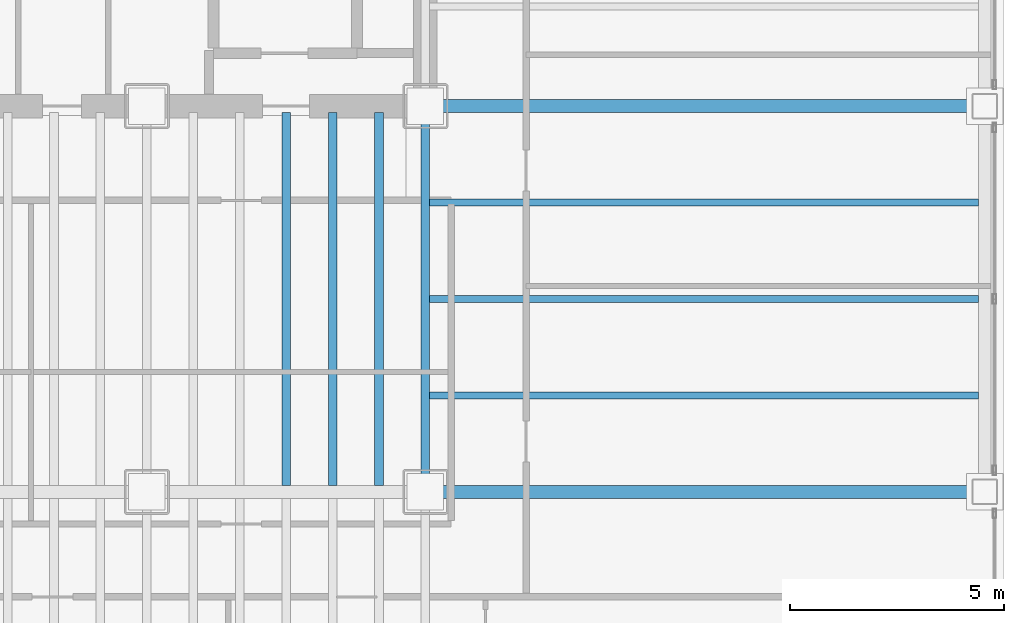
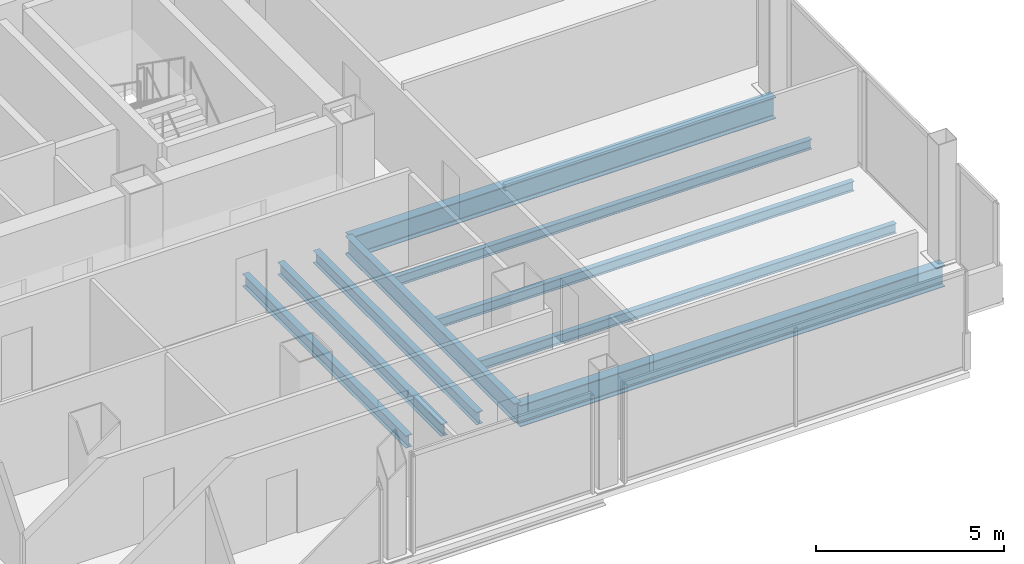
# One storey, part 9 of 20: 9 beams.
"""IFC4 building model written with IfcOpenShell, lengths in metres."""

import ifcopenshell
import ifcopenshell.guid

model = None  # the IFC model being written
_history = None  # IfcOwnerHistory: only IFC2X3 demands one
_inside = {}  # id of a spatial element -> (the spatial element, [elements in it])
_under = {}  # id of a project, library or spatial element -> (it, [spatial elements below it])
_declared = {}  # id of a project -> (the project, [libraries it declares])
_typed = {}  # id of a type object -> (the type object, [elements of that type])
_made_of = {}  # id of a material, layer set ... -> (it, [elements and type objects made of it])


def new_model(schema):
    """Start an empty IFC model of exactly this schema.

    Asked for "IFC4X3", IfcOpenShell would pick the latest addendum, in which some entities
    have other attributes; the version numbers below select the first issue.
    IFC2X3 requires an IfcOwnerHistory on every rooted entity: one is made here for all.
    """
    global model, _history
    if schema == "IFC4X3":
        model = ifcopenshell.file(schema_version=(4, 3, 0, 0))
    else:
        model = ifcopenshell.file(schema=schema)
    _inside.clear()
    _under.clear()
    _declared.clear()
    _typed.clear()
    _made_of.clear()
    _history = None
    if model.schema == "IFC2X3":
        org = make("IfcOrganization", Name="unknown")
        user = make(
            "IfcPersonAndOrganization",
            ThePerson=make("IfcPerson", FamilyName="unknown"),
            TheOrganization=org,
        )
        app = make(
            "IfcApplication",
            ApplicationDeveloper=org,
            Version="unknown",
            ApplicationFullName="unknown",
            ApplicationIdentifier="unknown",
        )
        _history = make(
            "IfcOwnerHistory",
            OwningUser=user,
            OwningApplication=app,
            ChangeAction="ADDED",
            CreationDate=0,
        )
    return model


def make(cls, **values):
    """One entity of the class cls with the attributes given. An attribute that is None is left unset."""
    return model.create_entity(
        cls, **{name: value for name, value in values.items() if value is not None}
    )


def rooted(cls, **values):
    """An entity with a GlobalId (a new one), such as an element, a storey or a relation."""
    return make(cls, GlobalId=ifcopenshell.guid.new(), OwnerHistory=_history, **values)


def si_unit(unit_type, name, prefix=None):
    """IfcSIUnit, for example si_unit("LENGTHUNIT", "METRE", prefix="MILLI")."""
    return make("IfcSIUnit", UnitType=unit_type, Prefix=prefix, Name=name)


def assignment(units):
    """IfcUnitAssignment: the units of a project."""
    return None if units is None else make("IfcUnitAssignment", Units=units)


def point(xyz):
    """IfcCartesianPoint."""
    return None if xyz is None else make("IfcCartesianPoint", Coordinates=xyz)


def direction(xyz):
    """IfcDirection."""
    return None if xyz is None else make("IfcDirection", DirectionRatios=xyz)


def frame(location, z_axis=None, x_axis=None):
    """IfcAxis2Placement3D, a coordinate frame: its origin and axes. An axis left out is left unset."""
    return make(
        "IfcAxis2Placement3D",
        Location=point(location),
        Axis=direction(z_axis),
        RefDirection=direction(x_axis),
    )


def frame_2d(location, x_axis=None):
    """IfcAxis2Placement2D, a coordinate frame in the plane: its origin and x axis."""
    return make(
        "IfcAxis2Placement2D", Location=point(location), RefDirection=direction(x_axis)
    )


def origin():
    """The frame at (0, 0, 0) with its axes left unset."""
    return frame((0.0, 0.0, 0.0))


def origin_2d():
    """The frame at (0, 0) in the plane with its x axis left unset."""
    return frame_2d((0.0, 0.0))


def place(relative_to, where):
    """IfcLocalPlacement: puts the frame where relative to a parent placement (None: the world)."""
    return make(
        "IfcLocalPlacement", PlacementRelTo=relative_to, RelativePlacement=where
    )


def context(
    kind, dimensions, precision=None, world=None, true_north=None, identifier=None
):
    """IfcGeometricRepresentationContext, for example the 3D "Model" context."""
    return make(
        "IfcGeometricRepresentationContext",
        ContextIdentifier=identifier,
        ContextType=kind,
        CoordinateSpaceDimension=dimensions,
        Precision=precision,
        WorldCoordinateSystem=world,
        TrueNorth=true_north,
    )


def subcontext(parent, identifier, kind, view, scale=None):
    """IfcGeometricRepresentationSubContext, for example "Body" below "Model"."""
    return make(
        "IfcGeometricRepresentationSubContext",
        ContextIdentifier=identifier,
        ContextType=kind,
        ParentContext=parent,
        TargetScale=scale,
        TargetView=view,
    )


def project(units=None, contexts=None):
    """IfcProject with its units and contexts."""
    return rooted(
        "IfcProject",
        Name="project",
        RepresentationContexts=contexts,
        UnitsInContext=assignment(units),
    )


def spatial(cls, under=None, at=None, **own):
    """A site, building, storey or space (cls), placed at a placement, below another one or the project."""
    s = rooted(cls, ObjectPlacement=at, **own)
    if under is not None:
        _under.setdefault(under.id(), (under, []))[1].append(s)
    return s


def profile(cls, at=None, kind="AREA", **sizes):
    """A parametric profile (cls). Its sizes go by their IFC names, for example OverallWidth=200.0."""
    return make(cls, ProfileType=kind, Position=at, **sizes)


def i_section(**sizes):
    """IfcIShapeProfileDef."""
    return profile("IfcIShapeProfileDef", **sizes)


def extrude(swept, where, along, depth):
    """IfcExtrudedAreaSolid: the profile swept, set in the frame where, extruded along a direction by depth."""
    return make(
        "IfcExtrudedAreaSolid",
        SweptArea=swept,
        Position=where,
        ExtrudedDirection=direction(along),
        Depth=depth,
    )


def shape(context_of_items, identifier, shape_type, items):
    """IfcShapeRepresentation: the items that make up one representation, for example the "Body"."""
    return make(
        "IfcShapeRepresentation",
        ContextOfItems=context_of_items,
        RepresentationIdentifier=identifier,
        RepresentationType=shape_type,
        Items=items,
    )


def material(Name=None, Category=None):
    """IfcMaterial."""
    return make("IfcMaterial", Name=Name, Category=Category)


def material_profile(
    of_material, cross_section, Name=None, Category=None, Priority=None
):
    """IfcMaterialProfile: a cross section and its material."""
    return make(
        "IfcMaterialProfile",
        Name=Name,
        Material=of_material,
        Profile=cross_section,
        Priority=Priority,
        Category=Category,
    )


def profile_set(profiles, Name=None, composite=None):
    """IfcMaterialProfileSet."""
    return make(
        "IfcMaterialProfileSet",
        Name=Name,
        MaterialProfiles=profiles,
        CompositeProfile=composite,
    )


def made_of(thing, what):
    """Note that an element or type object is made of a material, layer set ...; save() writes the relation."""
    if what is not None:
        _made_of.setdefault(what.id(), (what, []))[1].append(thing)
    return thing


def type_object(cls, material=None, **own):
    """A type object (cls), such as IfcWallType, which elements share."""
    return made_of(rooted(cls, **own), material)


def element(
    cls,
    number,
    at=None,
    inside=None,
    cuts=None,
    type_object=None,
    material=None,
    context=None,
    identifier="Body",
    shape_type=None,
    held_by="IfcProductDefinitionShape",
    body=None,
    shapes=None,
    **own,
):
    """One element of the class cls, such as IfcWall. Its Tag is "e" and its number.

    at: its placement. inside: the storey or other place that contains it. cuts: it is an
    opening in that element (IfcRelVoidsElement). A single representation is given by context,
    identifier, shape_type and body (its items); several are given by shapes. held_by: the class
    of the entity that holds the representations. save() writes the other relations.
    """
    e = rooted(cls, Tag="e%d" % number, ObjectPlacement=at, **own)
    if body is not None:
        shapes = [shape(context, identifier, shape_type, body)]
    if shapes is not None:
        e.Representation = make(held_by, Representations=shapes)
    if inside is not None:
        _inside.setdefault(inside.id(), (inside, []))[1].append(e)
    if cuts is not None:
        rooted(
            "IfcRelVoidsElement", RelatingBuildingElement=cuts, RelatedOpeningElement=e
        )
    if type_object is not None:
        _typed.setdefault(type_object.id(), (type_object, []))[1].append(e)
    return made_of(e, material)


def aggregate(whole, parts):
    """IfcRelAggregates: a whole, such as a stair, and the parts it consists of."""
    return rooted("IfcRelAggregates", RelatingObject=whole, RelatedObjects=parts)


def save(model, path):
    """Write the relations noted so far, then the file.

    IfcRelAggregates (storeys below a building ...), IfcRelContainedInSpatialStructure (elements
    in a storey), IfcRelDefinesByType, IfcRelAssociatesMaterial and IfcRelDeclares: one each for
    every whole, place, type object, material and project.
    """
    for whole, parts in _under.values():
        aggregate(whole, parts)
    for where, things in _inside.values():
        rooted(
            "IfcRelContainedInSpatialStructure",
            RelatedElements=things,
            RelatingStructure=where,
        )
    for kind, things in _typed.values():
        rooted("IfcRelDefinesByType", RelatedObjects=things, RelatingType=kind)
    for what, things in _made_of.values():
        rooted("IfcRelAssociatesMaterial", RelatedObjects=things, RelatingMaterial=what)
    for by, libraries in _declared.values():
        rooted("IfcRelDeclares", RelatingContext=by, RelatedDefinitions=libraries)
    model.write(path)


model = new_model("IFC4")

# Units and contexts
model_context = context("Model", 3, precision=1e-05, world=origin(), true_north=direction((0.0, 1.0)))
body_context = subcontext(model_context, "Body", "Model", "MODEL_VIEW")
ifc_project = project(units=[si_unit("LENGTHUNIT", "METRE"), si_unit("AREAUNIT", "SQUARE_METRE"), si_unit("VOLUMEUNIT", "CUBIC_METRE"), si_unit("PLANEANGLEUNIT", "RADIAN"), si_unit("MASSUNIT", "GRAM", prefix="KILO")], contexts=[model_context])

# Site, building, storey
site_placement = place(None, origin())
site = spatial("IfcSite", under=ifc_project, at=site_placement, CompositionType="ELEMENT")
building_placement = place(site_placement, origin())
building = spatial("IfcBuilding", under=site, at=building_placement, Name="Noeulbin Bourse Tower", CompositionType="ELEMENT")
storey_placement = place(building_placement, frame((0.0, 0.0, 65.5)))
storey = spatial("IfcBuildingStorey", under=building, at=storey_placement, Name="L16", CompositionType="ELEMENT", Elevation=65.5)

# Beams
ifc_material = material(Name="Steel S355", Category="steel")
ifc_material_profile_1 = material_profile(ifc_material, i_section(OverallWidth=0.199951171875, OverallDepth=0.60009765625, WebThickness=0.010986328125, FlangeThickness=0.01708984375, FilletRadius=0.02197265625, at=origin_2d()), Name="H-600x200x11x17", Category="LoadBearing")
ifc_profile_set_1 = profile_set([ifc_material_profile_1], Name="Steel S355")
beam_type_1 = type_object("IfcBeamType", Name="BM-GRD-600", PredefinedType="USERDEFINED", material=ifc_profile_set_1)
beam_placement = place(storey_placement, frame((44.0, 20.0, -0.47998046875), z_axis=(0.0, 1.0, 0.0), x_axis=(-1.0, 0.0, 0.0)))
element("IfcBeam", 1, at=beam_placement, inside=storey, type_object=beam_type_1, Name="Tower Primary Girder NS L16-5.2", ObjectType="GIRDER", PredefinedType="USERDEFINED", context=body_context, shape_type="SweptSolid", body=[
    extrude(i_section(OverallWidth=0.199951171875, OverallDepth=0.60009765625, WebThickness=0.010986328125, FlangeThickness=0.01708984375, FilletRadius=0.02197265625, at=origin_2d()), origin(), (0.0, 0.0, 1.0), 9.0),
])
ifc_material_profile_2 = material_profile(ifc_material, i_section(OverallWidth=0.300048828125, OverallDepth=0.699951171875, WebThickness=0.012939453125, FlangeThickness=0.02392578125, FilletRadius=0.02392578125, at=origin_2d()), Name="H-700x300x13x24", Category="LoadBearing")
ifc_profile_set_2 = profile_set([ifc_material_profile_2], Name="Steel S355")
beam_type_2 = type_object("IfcBeamType", Name="BM-GRD-700", PredefinedType="USERDEFINED", material=ifc_profile_set_2)
for number, where, z_axis, x_axis, name in (
    (2, (44.0, 20.0, -0.530029296875), (1.0, 0.0, 0.0), (0.0, 1.0, 0.0), "Tower Primary Girder EW L16-1.6"),
    (3, (44.0, 29.0, -0.530029296875), (1.0, 0.0, 0.0), (0.0, 1.0, 0.0), "Tower Primary Girder EW L16-2.6"),
):
    element("IfcBeam", number, at=place(storey_placement, frame(where, z_axis=z_axis, x_axis=x_axis)), inside=storey, type_object=beam_type_2, Name=name, ObjectType="GIRDER", PredefinedType="USERDEFINED", context=body_context, shape_type="SweptSolid", body=[
        extrude(i_section(OverallWidth=0.300048828125, OverallDepth=0.699951171875, WebThickness=0.012939453125, FlangeThickness=0.02392578125, FilletRadius=0.02392578125, at=origin_2d()), origin(), (0.0, 0.0, 1.0), 13.050048828125),
    ])
ifc_material_profile_3 = material_profile(ifc_material, i_section(OverallWidth=0.159912109375, OverallDepth=0.320068359375, WebThickness=0.006591796875, FlangeThickness=0.010009765625, FilletRadius=0.012939453125, at=origin_2d()), Name="H-320x160x6.5x10", Category="LoadBearing")
ifc_profile_set_3 = profile_set([ifc_material_profile_3], Name="Steel S355")
beam_type_3 = type_object("IfcBeamType", Name="BM-JST-320", PredefinedType="JOIST", material=ifc_profile_set_3)
for number, where, z_axis, x_axis, name in (
    (4, (44.10009765625, 22.25, -0.340087890625), (1.0, 0.0, 0.0), (0.0, 1.0, 0.0), "Wing Composite Joist L16-E76"),
    (5, (44.10009765625, 24.5, -0.340087890625), (1.0, 0.0, 0.0), (0.0, 1.0, 0.0), "Wing Composite Joist L16-E77"),
    (6, (44.10009765625, 26.75, -0.340087890625), (1.0, 0.0, 0.0), (0.0, 1.0, 0.0), "Wing Composite Joist L16-E78"),
):
    element("IfcBeam", number, at=place(storey_placement, frame(where, z_axis=z_axis, x_axis=x_axis)), inside=storey, type_object=beam_type_3, Name=name, PredefinedType="JOIST", context=body_context, shape_type="SweptSolid", body=[
        extrude(i_section(OverallWidth=0.159912109375, OverallDepth=0.320068359375, WebThickness=0.006591796875, FlangeThickness=0.010009765625, FilletRadius=0.012939453125, at=origin_2d()), origin(), (0.0, 0.0, 1.0), 12.7998046875),
    ])
ifc_material_profile_4 = material_profile(ifc_material, i_section(OverallWidth=0.199951171875, OverallDepth=0.39990234375, WebThickness=0.008056640625, FlangeThickness=0.012939453125, FilletRadius=0.01611328125, at=origin_2d()), Name="H-400x200x8x13", Category="LoadBearing")
ifc_profile_set_4 = profile_set([ifc_material_profile_4], Name="Steel S355")
beam_type_4 = type_object("IfcBeamType", Name="BM-SEC-400", PredefinedType="BEAM", material=ifc_profile_set_4)
for number, where, z_axis, x_axis, name in (
    (7, (40.75, 20.14990234375, -0.3798828125), (0.0, 1.0, 0.0), (-1.0, 0.0, 0.0), "Tower Composite Joist L16-62"),
    (8, (41.833251953125, 20.14990234375, -0.3798828125), (0.0, 1.0, 0.0), (-1.0, 0.0, 0.0), "Tower Composite Joist L16-65"),
    (9, (42.916748046875, 20.14990234375, -0.3798828125), (0.0, 1.0, 0.0), (-1.0, 0.0, 0.0), "Tower Composite Joist L16-68"),
):
    element("IfcBeam", number, at=place(storey_placement, frame(where, z_axis=z_axis, x_axis=x_axis)), inside=storey, type_object=beam_type_4, Name=name, PredefinedType="BEAM", context=body_context, shape_type="SweptSolid", body=[
        extrude(i_section(OverallWidth=0.199951171875, OverallDepth=0.39990234375, WebThickness=0.008056640625, FlangeThickness=0.012939453125, FilletRadius=0.01611328125, at=origin_2d()), origin(), (0.0, 0.0, 1.0), 8.7001953125),
    ])

save(model, "model.ifc")
